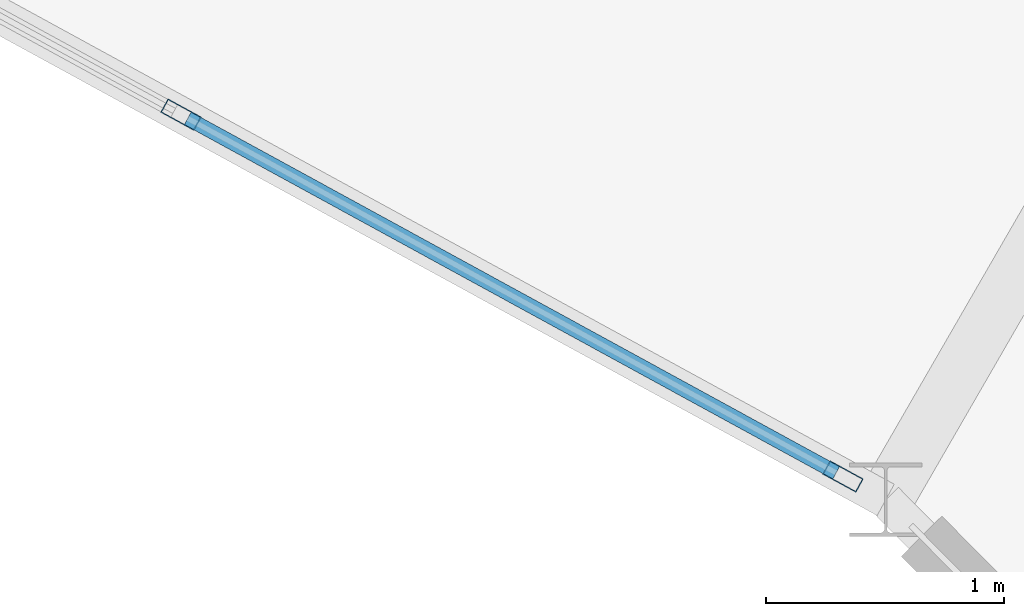
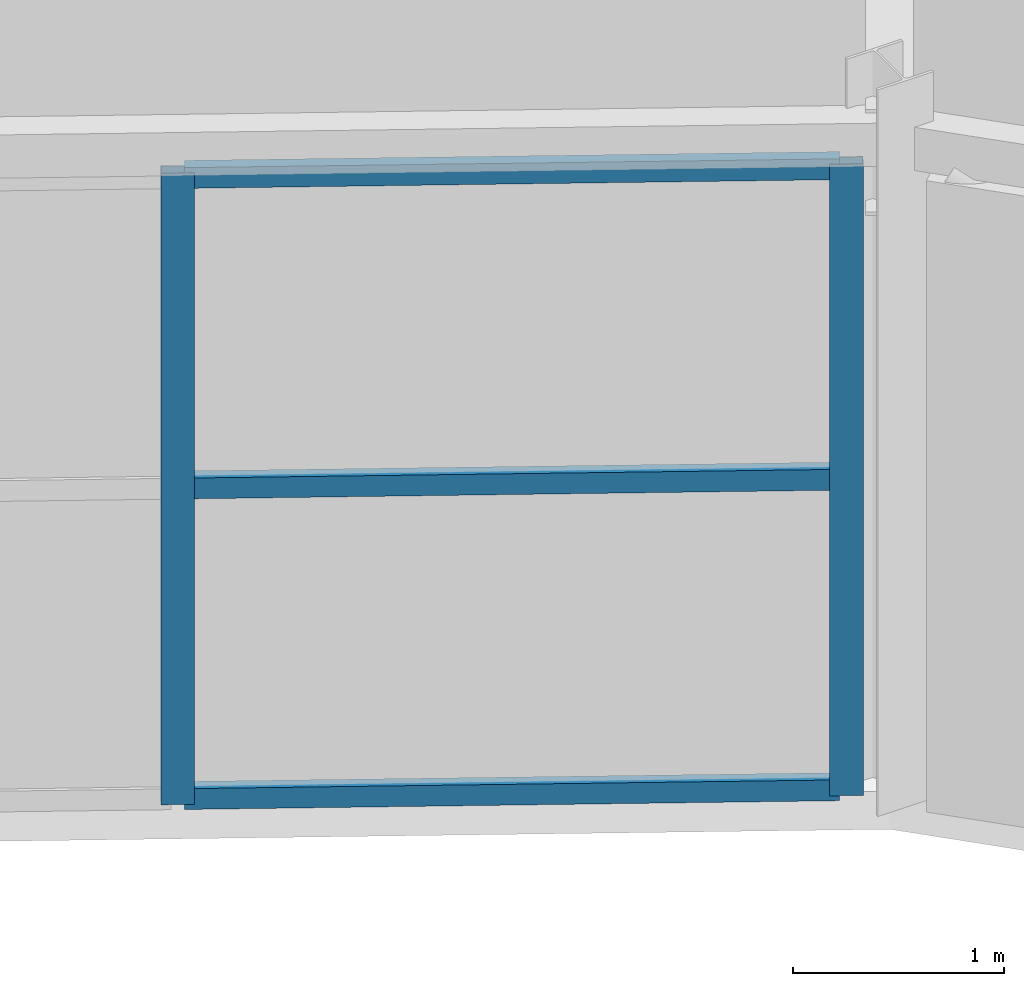
# One storey, part 81 of 147: 5 members, 1 element without a shape of its own.
"""IFC4 building model written with IfcOpenShell, lengths in metres."""

from ifc_helpers import new_model, si_unit, direction, frame, origin, origin_2d, place, context, subcontext, project, spatial, hollow_rectangle, extrude, material, material_profile, profile_set, type_object, element, aggregate, save


model = new_model("IFC4")

# Units and contexts
model_context = context("Model", 3, precision=1e-05, world=origin(), true_north=direction((0.0, 1.0)))
body_context = subcontext(model_context, "Body", "Model", "MODEL_VIEW")
ifc_project = project(units=[si_unit("LENGTHUNIT", "METRE"), si_unit("AREAUNIT", "SQUARE_METRE"), si_unit("VOLUMEUNIT", "CUBIC_METRE"), si_unit("PLANEANGLEUNIT", "RADIAN"), si_unit("MASSUNIT", "GRAM", prefix="KILO")], contexts=[model_context])

# Site, building, storey
site_placement = place(None, origin())
site = spatial("IfcSite", under=ifc_project, at=site_placement, CompositionType="ELEMENT")
building_placement = place(site_placement, origin())
building = spatial("IfcBuilding", under=site, at=building_placement, Name="Karori Crest Natural Sciences Institute", CompositionType="ELEMENT")
storey_placement = place(building_placement, frame((0.0, 0.0, 9.10009765625)))
storey = spatial("IfcBuildingStorey", under=building, at=storey_placement, Name="L02", CompositionType="ELEMENT", Elevation=9.10009765625)

# Curtain wall, members
ifc_material = material(Name="Anodised architectural aluminium 6063-T6", Category="aluminium")
curtain_wall_type = type_object("IfcCurtainWallType", Name="CWT-15", PredefinedType="NOTDEFINED", material=ifc_material)
curtain_wall_placement = place(storey_placement, origin())
curtain_wall = element("IfcCurtainWall", 1, at=curtain_wall_placement, inside=storey, type_object=curtain_wall_type, Name="Curtain wall CW-0072", PredefinedType="NOTDEFINED")
ifc_material_profile_1 = material_profile(ifc_material, hollow_rectangle(XDim=0.06494140625, YDim=0.159912109375, WallThickness=0.00390625, at=origin_2d()), Name="CWM160x65x4")
ifc_profile_set_1 = profile_set([ifc_material_profile_1], Name="Anodised architectural aluminium 6063-T6")
member_type_1 = type_object("IfcMemberType", Name="CWM-01", PredefinedType="MULLION", material=ifc_profile_set_1)
member_1_placement = place(storey_placement, frame((78.4208984375, 77.884033203125, 0.0), z_axis=(0.0, 0.0, 1.0), x_axis=(-0.479643389875, -0.877463514084, 0.0)))
member_1 = element("IfcMember", 2, at=member_1_placement, type_object=member_type_1, Name="CW-0072 mullion 1", PredefinedType="MULLION", context=body_context, shape_type="SweptSolid", body=[
    extrude(hollow_rectangle(XDim=0.06494140625, YDim=0.159912109375, WallThickness=0.00390625, at=origin_2d()), origin(), (0.0, 0.0, 1.0), 3.64990234375),
])
member_2_placement = place(storey_placement, frame((75.641357421875, 79.4033203125, 0.0), z_axis=(0.0, 0.0, 1.0), x_axis=(-0.479643389875, -0.877463514084, 0.0)))
member_2 = element("IfcMember", 3, at=member_2_placement, type_object=member_type_1, Name="CW-0072 mullion 2", PredefinedType="MULLION", context=body_context, shape_type="SweptSolid", body=[
    extrude(hollow_rectangle(XDim=0.06494140625, YDim=0.159912109375, WallThickness=0.00390625, at=origin_2d()), origin(), (0.0, 0.0, 1.0), 3.64990234375),
])
ifc_material_profile_2 = material_profile(ifc_material, hollow_rectangle(XDim=0.06005859375, YDim=0.1201171875, WallThickness=0.00390625, at=origin_2d()), Name="CWT120x60x4")
ifc_profile_set_2 = profile_set([ifc_material_profile_2], Name="Anodised architectural aluminium 6063-T6")
member_type_2 = type_object("IfcMemberType", Name="CWT-TR1", PredefinedType="USERDEFINED", material=ifc_profile_set_2)
member_3_placement = place(storey_placement, frame((78.392333984375, 77.899658203125, 0.02978515625), z_axis=(-0.877495326305, 0.479585187754, 0.0), x_axis=(-0.479585187754, -0.877495326305, 0.0)))
member_3 = element("IfcMember", 4, at=member_3_placement, type_object=member_type_2, Name="CW-0072 transom 1.1", ObjectType="TRANSOM", PredefinedType="USERDEFINED", context=body_context, shape_type="SweptSolid", body=[
    extrude(hollow_rectangle(XDim=0.06005859375, YDim=0.1201171875, WallThickness=0.00390625, at=origin_2d()), origin(), (0.0, 0.0, 1.0), 3.102783203125),
])
member_4_placement = place(storey_placement, frame((78.392333984375, 77.899658203125, 1.824951171875), z_axis=(-0.877495326305, 0.479585187754, 0.0), x_axis=(-0.479585187754, -0.877495326305, 0.0)))
member_4 = element("IfcMember", 5, at=member_4_placement, type_object=member_type_2, Name="CW-0072 transom 1.2", ObjectType="TRANSOM", PredefinedType="USERDEFINED", context=body_context, shape_type="SweptSolid", body=[
    extrude(hollow_rectangle(XDim=0.06005859375, YDim=0.1201171875, WallThickness=0.00390625, at=origin_2d()), origin(), (0.0, 0.0, 1.0), 3.102783203125),
])
member_5_placement = place(storey_placement, frame((78.392333984375, 77.899658203125, 3.619873046875), z_axis=(-0.877495326305, 0.479585187754, 0.0), x_axis=(-0.479585187754, -0.877495326305, 0.0)))
member_5 = element("IfcMember", 6, at=member_5_placement, type_object=member_type_2, Name="CW-0072 transom 1.3", ObjectType="TRANSOM", PredefinedType="USERDEFINED", context=body_context, shape_type="SweptSolid", body=[
    extrude(hollow_rectangle(XDim=0.06005859375, YDim=0.1201171875, WallThickness=0.00390625, at=origin_2d()), origin(), (0.0, 0.0, 1.0), 3.102783203125),
])
aggregate(curtain_wall, [member_1, member_2, member_3, member_4, member_5])

save(model, "model.ifc")
